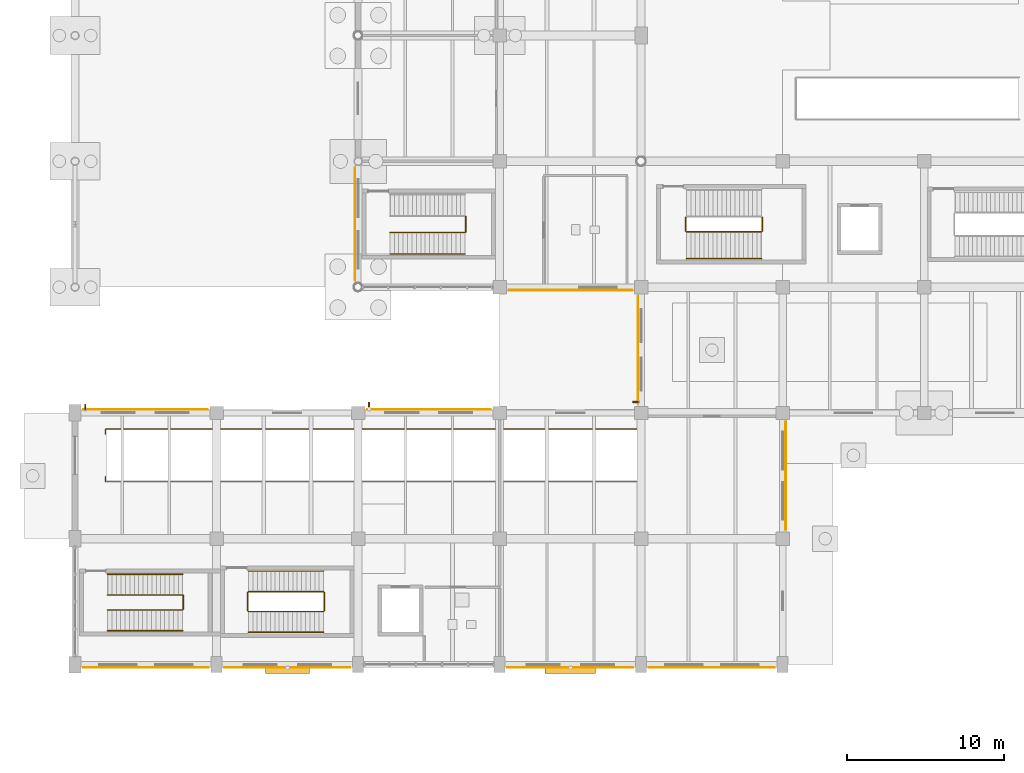
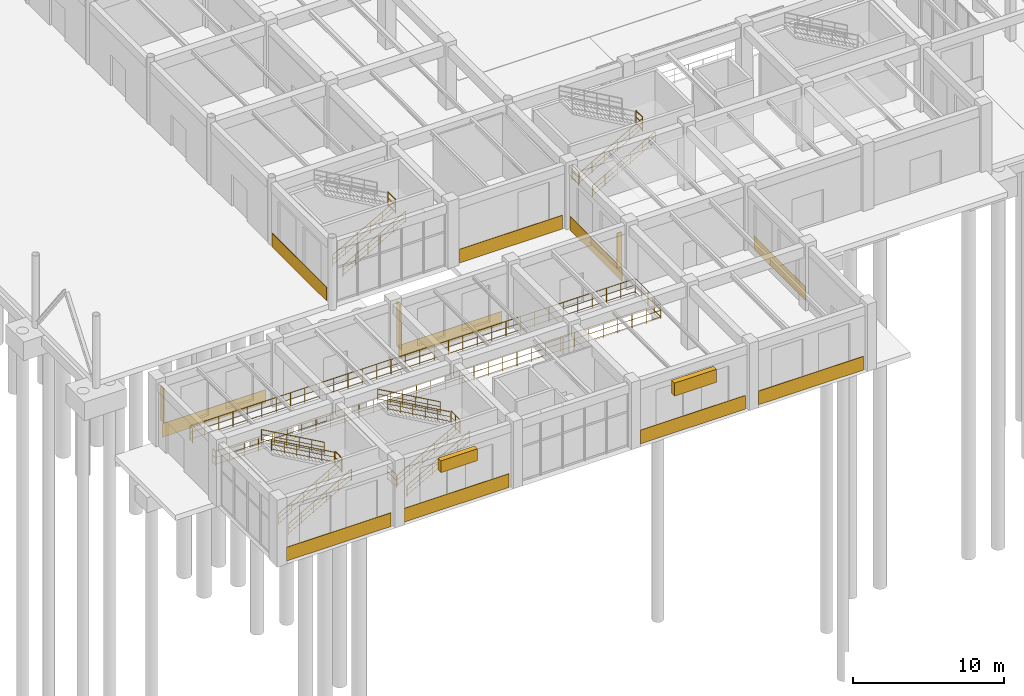
# One storey, part 110 of 121: 19 railings, 10 coverings, 5 shading devices.
"""IFC4 building model written with IfcOpenShell, lengths in metres."""

from ifc_helpers import new_model, si_unit, derived_unit, direction, frame, origin, origin_2d, place, context, subcontext, project, spatial, rectangle, circle, extrude, material, layer, layer_set, type_object, element, save


model = new_model("IFC4")

# Units and contexts
model_context = context("Model", 3, precision=1e-05, world=origin(), true_north=direction((0.0, 1.0)))
body_context = subcontext(model_context, "Body", "Model", "MODEL_VIEW")
ifc_project = project(units=[si_unit("LENGTHUNIT", "METRE"), si_unit("AREAUNIT", "SQUARE_METRE"), si_unit("VOLUMEUNIT", "CUBIC_METRE"), si_unit("PLANEANGLEUNIT", "RADIAN"), si_unit("MASSUNIT", "GRAM", prefix="KILO"), derived_unit("THERMALTRANSMITTANCEUNIT", [(si_unit("MASSUNIT", "GRAM", prefix="KILO"), 1), (si_unit("TIMEUNIT", "SECOND"), -3), (si_unit("THERMODYNAMICTEMPERATUREUNIT", "KELVIN"), -1)])], contexts=[model_context])

# Site, building, storey
site_placement = place(None, origin())
site = spatial("IfcSite", under=ifc_project, at=site_placement, CompositionType="ELEMENT")
building_placement = place(site_placement, origin())
building = spatial("IfcBuilding", under=site, at=building_placement, Name="Zhenchuan Archway Interchange", CompositionType="ELEMENT")
storey_placement = place(building_placement, origin())
storey = spatial("IfcBuildingStorey", under=building, at=storey_placement, Name="L00", CompositionType="ELEMENT", Elevation=0.0)

# Coverings
ifc_material_1 = material(Name="Granite Stone Cladding", Category="masonry")
ifc_layer_1 = layer(ifc_material_1, 0.0400390625)
ifc_layer_set_1 = layer_set([ifc_layer_1], Name="Granite Stone Cladding")
covering_type = type_object("IfcCoveringType", Name="COV_CLAD_GRANITE", PredefinedType="CLADDING", material=ifc_layer_set_1)
covering_1_placement = place(storey_placement, frame((35.802001953125, 20.0, 0.0), z_axis=(0.0, 0.0, 1.0), x_axis=(0.0, 1.0, 0.0)))
element("IfcCovering", 1, at=covering_1_placement, inside=storey, type_object=covering_type, Name="Pearl-grey granite plinth band 001", PredefinedType="CLADDING", context=body_context, shape_type="SweptSolid", body=[
    extrude(rectangle(XDim=6.85400390625, YDim=0.0400390625, at=origin_2d()), origin(), (0.0, 0.0, 1.0), 1.10009765625),
])
covering_2_placement = place(storey_placement, frame((31.5, 23.802001953125, 0.0), z_axis=(0.0, 0.0, 1.0), x_axis=(-1.0, 0.0, 0.0)))
element("IfcCovering", 2, at=covering_2_placement, inside=storey, type_object=covering_type, Name="Pearl-grey granite plinth band 002", PredefinedType="CLADDING", context=body_context, shape_type="SweptSolid", body=[
    extrude(rectangle(XDim=7.85400390625, YDim=0.0400390625, at=origin_2d()), origin(), (0.0, 0.0, 1.0), 1.10009765625),
])
covering_3_placement = place(storey_placement, frame((17.802001953125, 28.0126953125, 0.0), z_axis=(0.0, 0.0, 1.0), x_axis=(0.0, 1.0, 0.0)))
element("IfcCovering", 3, at=covering_3_placement, inside=storey, type_object=covering_type, Name="Pearl-grey granite plinth band 004", PredefinedType="CLADDING", context=body_context, shape_type="SweptSolid", body=[
    extrude(rectangle(XDim=7.172607421875, YDim=0.0400390625, at=origin_2d()), origin(), (0.0, 0.0, 1.0), 1.10009765625),
])
covering_4_placement = place(storey_placement, frame((45.197998046875, 12.0, 0.0), z_axis=(0.0, 0.0, 1.0), x_axis=(0.0, -1.0, 0.0)))
element("IfcCovering", 4, at=covering_4_placement, inside=storey, type_object=covering_type, Name="Pearl-grey granite plinth band 044", PredefinedType="CLADDING", context=body_context, shape_type="SweptSolid", body=[
    extrude(rectangle(XDim=6.85400390625, YDim=0.0400390625, at=origin_2d()), origin(), (0.0, 0.0, 1.0), 1.10009765625),
])
for number, where, z_axis, x_axis, name in (
    (5, (40.5, -0.197998046875, 0.0), (0.0, 0.0, 1.0), (-1.0, 0.0, 0.0), "Pearl-grey granite plinth band 046"),
    (6, (31.5, -0.197998046875, 0.0), (0.0, 0.0, 1.0), (-1.0, 0.0, 0.0), "Pearl-grey granite plinth band 047"),
    (7, (13.5, -0.197998046875, 0.0), (0.0, 0.0, 1.0), (-1.0, 0.0, 0.0), "Pearl-grey granite plinth band 049"),
):
    element("IfcCovering", number, at=place(storey_placement, frame(where, z_axis=z_axis, x_axis=x_axis)), inside=storey, type_object=covering_type, Name=name, PredefinedType="CLADDING", context=body_context, shape_type="SweptSolid", body=[
        extrude(rectangle(XDim=8.00390625, YDim=0.0400390625, at=origin_2d()), origin(), (0.0, 0.0, 1.0), 1.10009765625),
    ])
covering_5_placement = place(storey_placement, frame((4.512451171875, -0.197998046875, 0.0), z_axis=(0.0, 0.0, 1.0), x_axis=(-1.0, 0.0, 0.0)))
element("IfcCovering", 8, at=covering_5_placement, inside=storey, type_object=covering_type, Name="Pearl-grey granite plinth band 050", PredefinedType="CLADDING", context=body_context, shape_type="SweptSolid", body=[
    extrude(rectangle(XDim=7.97900390625, YDim=0.0400390625, at=origin_2d()), origin(), (0.0, 0.0, 1.0), 1.10009765625),
])
covering_6_placement = place(storey_placement, frame((4.47509765625, 16.22802734375, 0.0), z_axis=(0.0, 0.0, 1.0), x_axis=(1.0, 0.0, 0.0)))
element("IfcCovering", 9, at=covering_6_placement, inside=storey, type_object=covering_type, Name="Pearl-grey granite plinth band 053", PredefinedType="CLADDING", context=body_context, shape_type="SweptSolid", body=[
    extrude(rectangle(XDim=7.904052734375, YDim=0.0400390625, at=origin_2d()), origin(), (0.0, 0.0, 1.0), 1.10009765625),
])
covering_7_placement = place(storey_placement, frame((22.5, 16.22802734375, 0.0), z_axis=(0.0, 0.0, 1.0), x_axis=(1.0, 0.0, 0.0)))
element("IfcCovering", 10, at=covering_7_placement, inside=storey, type_object=covering_type, Name="Pearl-grey granite plinth band 055", PredefinedType="CLADDING", context=body_context, shape_type="SweptSolid", body=[
    extrude(rectangle(XDim=7.85400390625, YDim=0.0400390625, at=origin_2d()), origin(), (0.0, 0.0, 1.0), 1.10009765625),
])

# Railings
ifc_material_2 = material(Name="Painted Galvanised Steel", Category="steel")
railing_type_1 = type_object("IfcRailingType", Name="RL_GUARD_1150", PredefinedType="GUARDRAIL", material=ifc_material_2)
for number, where, name in (
    (11, (43.695068359375, 27.56494140625, 2.699951171875), "Stair ST-M1 half-landing slot guard (L00)"),
    (12, (38.8349609375, 27.56494140625, 0.0), "Stair ST-M1 floor well guard (L00)"),
):
    element("IfcRailing", number, at=place(storey_placement, frame(where)), inside=storey, type_object=railing_type_1, Name=name, PredefinedType="GUARDRAIL", context=body_context, shape_type="SweptSolid", body=[
        extrude(circle(Radius=0.02392578125, at=origin_2d()), frame((0.0, 0.0, 1.1259765625), z_axis=(0.0, 1.0, 0.0), x_axis=(-1.0, 0.0, 0.0)), (0.0, 0.0, 1.0), 0.8701171875),
        extrude(circle(Radius=0.01611328125, at=origin_2d()), frame((0.0, 0.0, 0.63232421875), z_axis=(0.0, 1.0, 0.0), x_axis=(-1.0, 0.0, 0.0)), (0.0, 0.0, 1.0), 0.8701171875),
        extrude(circle(Radius=0.01611328125, at=origin_2d()), frame((0.0, 0.0, 0.1201171875), z_axis=(0.0, 1.0, 0.0), x_axis=(-1.0, 0.0, 0.0)), (0.0, 0.0, 1.0), 0.8701171875),
        extrude(circle(Radius=0.02099609375, at=origin_2d()), origin(), (0.0, 0.0, 1.0), 1.1259765625),
        extrude(circle(Radius=0.02099609375, at=origin_2d()), frame((0.0, 0.8701171875, 0.0)), (0.0, 0.0, 1.0), 1.1259765625),
    ])
railing_1_placement = place(storey_placement, frame((24.844970703125, 27.514892578125, 2.699951171875)))
element("IfcRailing", 13, at=railing_1_placement, inside=storey, type_object=railing_type_1, Name="Stair ST-B1 half-landing slot guard (L00)", PredefinedType="GUARDRAIL", context=body_context, shape_type="SweptSolid", body=[
    extrude(circle(Radius=0.02392578125, at=origin_2d()), frame((0.0, 0.0, 1.1259765625), z_axis=(0.0, 1.0, 0.0), x_axis=(-1.0, 0.0, 0.0)), (0.0, 0.0, 1.0), 0.97021484375),
    extrude(circle(Radius=0.01611328125, at=origin_2d()), frame((0.0, 0.0, 0.63232421875), z_axis=(0.0, 1.0, 0.0), x_axis=(-1.0, 0.0, 0.0)), (0.0, 0.0, 1.0), 0.97021484375),
    extrude(circle(Radius=0.01611328125, at=origin_2d()), frame((0.0, 0.0, 0.1201171875), z_axis=(0.0, 1.0, 0.0), x_axis=(-1.0, 0.0, 0.0)), (0.0, 0.0, 1.0), 0.97021484375),
    extrude(circle(Radius=0.02099609375, at=origin_2d()), origin(), (0.0, 0.0, 1.0), 1.1259765625),
    extrude(circle(Radius=0.02099609375, at=origin_2d()), frame((0.0, 0.97021484375, 0.0)), (0.0, 0.0, 1.0), 1.1259765625),
])
for number, where, name in (
    (14, (15.844970703125, 3.4150390625, 2.699951171875), "Stair ST-C1 half-landing slot guard (L00)"),
    (15, (10.985107421875, 3.4150390625, 0.0), "Stair ST-C1 floor well guard (L00)"),
):
    element("IfcRailing", number, at=place(storey_placement, frame(where)), inside=storey, type_object=railing_type_1, Name=name, PredefinedType="GUARDRAIL", context=body_context, shape_type="SweptSolid", body=[
        extrude(circle(Radius=0.02392578125, at=origin_2d()), frame((0.0, 0.0, 1.1259765625), z_axis=(0.0, 1.0, 0.0), x_axis=(-1.0, 0.0, 0.0)), (0.0, 0.0, 1.0), 1.169921875),
        extrude(circle(Radius=0.01611328125, at=origin_2d()), frame((0.0, 0.0, 0.63232421875), z_axis=(0.0, 1.0, 0.0), x_axis=(-1.0, 0.0, 0.0)), (0.0, 0.0, 1.0), 1.169921875),
        extrude(circle(Radius=0.01611328125, at=origin_2d()), frame((0.0, 0.0, 0.1201171875), z_axis=(0.0, 1.0, 0.0), x_axis=(-1.0, 0.0, 0.0)), (0.0, 0.0, 1.0), 1.169921875),
        extrude(circle(Radius=0.02099609375, at=origin_2d()), origin(), (0.0, 0.0, 1.0), 1.1259765625),
        extrude(circle(Radius=0.02099609375, at=origin_2d()), frame((0.0, 0.5849609375, 0.0)), (0.0, 0.0, 1.0), 1.1259765625),
        extrude(circle(Radius=0.02099609375, at=origin_2d()), frame((0.0, 1.169921875, 0.0)), (0.0, 0.0, 1.0), 1.1259765625),
    ])
railing_2_placement = place(storey_placement, frame((6.885009765625, 3.514892578125, 2.699951171875)))
element("IfcRailing", 16, at=railing_2_placement, inside=storey, type_object=railing_type_1, Name="Stair ST-C2 half-landing slot guard (L00)", PredefinedType="GUARDRAIL", context=body_context, shape_type="SweptSolid", body=[
    extrude(circle(Radius=0.02392578125, at=origin_2d()), frame((0.0, 0.0, 1.1259765625), z_axis=(0.0, 1.0, 0.0), x_axis=(-1.0, 0.0, 0.0)), (0.0, 0.0, 1.0), 0.8701171875),
    extrude(circle(Radius=0.01611328125, at=origin_2d()), frame((0.0, 0.0, 0.63232421875), z_axis=(0.0, 1.0, 0.0), x_axis=(-1.0, 0.0, 0.0)), (0.0, 0.0, 1.0), 0.8701171875),
    extrude(circle(Radius=0.01611328125, at=origin_2d()), frame((0.0, 0.0, 0.1201171875), z_axis=(0.0, 1.0, 0.0), x_axis=(-1.0, 0.0, 0.0)), (0.0, 0.0, 1.0), 0.8701171875),
    extrude(circle(Radius=0.02099609375, at=origin_2d()), origin(), (0.0, 0.0, 1.0), 1.1259765625),
    extrude(circle(Radius=0.02099609375, at=origin_2d()), frame((0.0, 0.8701171875, 0.0)), (0.0, 0.0, 1.0), 1.1259765625),
])
ifc_layer_2 = layer(ifc_material_2, 0.070068359375)
ifc_layer_set_2 = layer_set([ifc_layer_2], Name="Painted Galvanised Steel")
railing_type_2 = type_object("IfcRailingType", Name="RL_GUARD_1200", PredefinedType="GUARDRAIL", material=ifc_layer_set_2)
railing_3_placement = place(storey_placement, frame((1.93994140625, 11.9599609375, 0.0)))
element("IfcRailing", 17, at=railing_3_placement, inside=storey, type_object=railing_type_2, Name="Cycle ramp L00 floor opening guard", PredefinedType="GUARDRAIL", context=body_context, shape_type="SweptSolid", body=[
    extrude(circle(Radius=0.02392578125, at=origin_2d()), frame((0.0, 0.0, 1.17578125), z_axis=(0.0, -1.0, 0.0), x_axis=(1.0, 0.0, 0.0)), (0.0, 0.0, 1.0), 0.33984375),
    extrude(circle(Radius=0.01611328125, at=origin_2d()), frame((0.0, 0.0, 0.659912109375), z_axis=(0.0, -1.0, 0.0), x_axis=(1.0, 0.0, 0.0)), (0.0, 0.0, 1.0), 0.33984375),
    extrude(circle(Radius=0.01611328125, at=origin_2d()), frame((0.0, 0.0, 0.1201171875), z_axis=(0.0, -1.0, 0.0), x_axis=(1.0, 0.0, 0.0)), (0.0, 0.0, 1.0), 0.33984375),
    extrude(circle(Radius=0.02392578125, at=origin_2d()), frame((0.0, -0.33984375, 1.17578125), z_axis=(1.0, 0.0, 0.0), x_axis=(0.0, 1.0, 0.0)), (0.0, 0.0, 1.0), 33.93994140625),
    extrude(circle(Radius=0.01611328125, at=origin_2d()), frame((0.0, -0.33984375, 0.659912109375), z_axis=(1.0, 0.0, 0.0), x_axis=(0.0, 1.0, 0.0)), (0.0, 0.0, 1.0), 33.93994140625),
    extrude(circle(Radius=0.01611328125, at=origin_2d()), frame((0.0, -0.33984375, 0.1201171875), z_axis=(1.0, 0.0, 0.0), x_axis=(0.0, 1.0, 0.0)), (0.0, 0.0, 1.0), 33.93994140625),
    extrude(circle(Radius=0.02392578125, at=origin_2d()), frame((33.93994140625, -0.33984375, 1.17578125), z_axis=(0.0, 1.0, 0.0), x_axis=(-1.0, 0.0, 0.0)), (0.0, 0.0, 1.0), 3.35986328125),
    extrude(circle(Radius=0.01611328125, at=origin_2d()), frame((33.93994140625, -0.33984375, 0.659912109375), z_axis=(0.0, 1.0, 0.0), x_axis=(-1.0, 0.0, 0.0)), (0.0, 0.0, 1.0), 3.35986328125),
    extrude(circle(Radius=0.01611328125, at=origin_2d()), frame((33.93994140625, -0.33984375, 0.1201171875), z_axis=(0.0, 1.0, 0.0), x_axis=(-1.0, 0.0, 0.0)), (0.0, 0.0, 1.0), 3.35986328125),
    extrude(circle(Radius=0.02392578125, at=origin_2d()), frame((33.93994140625, 3.02001953125, 1.17578125), z_axis=(-1.0, 0.0, 0.0), x_axis=(0.0, -1.0, 0.0)), (0.0, 0.0, 1.0), 33.93994140625),
    extrude(circle(Radius=0.01611328125, at=origin_2d()), frame((33.93994140625, 3.02001953125, 0.659912109375), z_axis=(-1.0, 0.0, 0.0), x_axis=(0.0, -1.0, 0.0)), (0.0, 0.0, 1.0), 33.93994140625),
    extrude(circle(Radius=0.01611328125, at=origin_2d()), frame((33.93994140625, 3.02001953125, 0.1201171875), z_axis=(-1.0, 0.0, 0.0), x_axis=(0.0, -1.0, 0.0)), (0.0, 0.0, 1.0), 33.93994140625),
    extrude(circle(Radius=0.02392578125, at=origin_2d()), frame((0.0, 3.02001953125, 1.17578125), z_axis=(0.0, -1.0, 0.0), x_axis=(1.0, 0.0, 0.0)), (0.0, 0.0, 1.0), 0.340087890625),
    extrude(circle(Radius=0.01611328125, at=origin_2d()), frame((0.0, 3.02001953125, 0.659912109375), z_axis=(0.0, -1.0, 0.0), x_axis=(1.0, 0.0, 0.0)), (0.0, 0.0, 1.0), 0.340087890625),
    extrude(circle(Radius=0.01611328125, at=origin_2d()), frame((0.0, 3.02001953125, 0.1201171875), z_axis=(0.0, -1.0, 0.0), x_axis=(1.0, 0.0, 0.0)), (0.0, 0.0, 1.0), 0.340087890625),
    extrude(circle(Radius=0.02099609375, at=origin_2d()), origin(), (0.0, 0.0, 1.0), 1.17578125),
    extrude(circle(Radius=0.02099609375, at=origin_2d()), frame((0.0, -0.33984375, 0.0)), (0.0, 0.0, 1.0), 1.17578125),
    extrude(circle(Radius=0.02099609375, at=origin_2d()), frame((1.0947265625, -0.33984375, 0.0)), (0.0, 0.0, 1.0), 1.17578125),
    extrude(circle(Radius=0.02099609375, at=origin_2d()), frame((2.189697265625, -0.33984375, 0.0)), (0.0, 0.0, 1.0), 1.17578125),
    extrude(circle(Radius=0.02099609375, at=origin_2d()), frame((3.284423828125, -0.33984375, 0.0)), (0.0, 0.0, 1.0), 1.17578125),
    extrude(circle(Radius=0.02099609375, at=origin_2d()), frame((4.37939453125, -0.33984375, 0.0)), (0.0, 0.0, 1.0), 1.17578125),
    extrude(circle(Radius=0.02099609375, at=origin_2d()), frame((5.47412109375, -0.33984375, 0.0)), (0.0, 0.0, 1.0), 1.17578125),
    extrude(circle(Radius=0.02099609375, at=origin_2d()), frame((6.569091796875, -0.33984375, 0.0)), (0.0, 0.0, 1.0), 1.17578125),
    extrude(circle(Radius=0.02099609375, at=origin_2d()), frame((7.663818359375, -0.33984375, 0.0)), (0.0, 0.0, 1.0), 1.17578125),
    extrude(circle(Radius=0.02099609375, at=origin_2d()), frame((8.7587890625, -0.33984375, 0.0)), (0.0, 0.0, 1.0), 1.17578125),
    extrude(circle(Radius=0.02099609375, at=origin_2d()), frame((9.853515625, -0.33984375, 0.0)), (0.0, 0.0, 1.0), 1.17578125),
    extrude(circle(Radius=0.02099609375, at=origin_2d()), frame((10.948486328125, -0.33984375, 0.0)), (0.0, 0.0, 1.0), 1.17578125),
    extrude(circle(Radius=0.02099609375, at=origin_2d()), frame((12.043212890625, -0.33984375, 0.0)), (0.0, 0.0, 1.0), 1.17578125),
    extrude(circle(Radius=0.02099609375, at=origin_2d()), frame((13.137939453125, -0.33984375, 0.0)), (0.0, 0.0, 1.0), 1.17578125),
    extrude(circle(Radius=0.02099609375, at=origin_2d()), frame((14.23291015625, -0.33984375, 0.0)), (0.0, 0.0, 1.0), 1.17578125),
    extrude(circle(Radius=0.02099609375, at=origin_2d()), frame((15.32763671875, -0.33984375, 0.0)), (0.0, 0.0, 1.0), 1.17578125),
    extrude(circle(Radius=0.02099609375, at=origin_2d()), frame((16.422607421875, -0.33984375, 0.0)), (0.0, 0.0, 1.0), 1.17578125),
    extrude(circle(Radius=0.02099609375, at=origin_2d()), frame((17.517333984375, -0.33984375, 0.0)), (0.0, 0.0, 1.0), 1.17578125),
    extrude(circle(Radius=0.02099609375, at=origin_2d()), frame((18.6123046875, -0.33984375, 0.0)), (0.0, 0.0, 1.0), 1.17578125),
    extrude(circle(Radius=0.02099609375, at=origin_2d()), frame((19.70703125, -0.33984375, 0.0)), (0.0, 0.0, 1.0), 1.17578125),
    extrude(circle(Radius=0.02099609375, at=origin_2d()), frame((20.802001953125, -0.33984375, 0.0)), (0.0, 0.0, 1.0), 1.17578125),
    extrude(circle(Radius=0.02099609375, at=origin_2d()), frame((21.896728515625, -0.33984375, 0.0)), (0.0, 0.0, 1.0), 1.17578125),
    extrude(circle(Radius=0.02099609375, at=origin_2d()), frame((22.991455078125, -0.33984375, 0.0)), (0.0, 0.0, 1.0), 1.17578125),
    extrude(circle(Radius=0.02099609375, at=origin_2d()), frame((24.08642578125, -0.33984375, 0.0)), (0.0, 0.0, 1.0), 1.17578125),
    extrude(circle(Radius=0.02099609375, at=origin_2d()), frame((25.18115234375, -0.33984375, 0.0)), (0.0, 0.0, 1.0), 1.17578125),
    extrude(circle(Radius=0.02099609375, at=origin_2d()), frame((26.276123046875, -0.33984375, 0.0)), (0.0, 0.0, 1.0), 1.17578125),
    extrude(circle(Radius=0.02099609375, at=origin_2d()), frame((27.370849609375, -0.33984375, 0.0)), (0.0, 0.0, 1.0), 1.17578125),
    extrude(circle(Radius=0.02099609375, at=origin_2d()), frame((28.4658203125, -0.33984375, 0.0)), (0.0, 0.0, 1.0), 1.17578125),
    extrude(circle(Radius=0.02099609375, at=origin_2d()), frame((29.560546875, -0.33984375, 0.0)), (0.0, 0.0, 1.0), 1.17578125),
    extrude(circle(Radius=0.02099609375, at=origin_2d()), frame((30.655517578125, -0.33984375, 0.0)), (0.0, 0.0, 1.0), 1.17578125),
    extrude(circle(Radius=0.02099609375, at=origin_2d()), frame((31.750244140625, -0.33984375, 0.0)), (0.0, 0.0, 1.0), 1.17578125),
    extrude(circle(Radius=0.02099609375, at=origin_2d()), frame((32.84521484375, -0.33984375, 0.0)), (0.0, 0.0, 1.0), 1.17578125),
    extrude(circle(Radius=0.02099609375, at=origin_2d()), frame((33.93994140625, -0.33984375, 0.0)), (0.0, 0.0, 1.0), 1.17578125),
    extrude(circle(Radius=0.02099609375, at=origin_2d()), frame((33.93994140625, 0.5, 0.0)), (0.0, 0.0, 1.0), 1.17578125),
    extrude(circle(Radius=0.02099609375, at=origin_2d()), frame((33.93994140625, 1.340087890625, 0.0)), (0.0, 0.0, 1.0), 1.17578125),
    extrude(circle(Radius=0.02099609375, at=origin_2d()), frame((33.93994140625, 2.18017578125, 0.0)), (0.0, 0.0, 1.0), 1.17578125),
    extrude(circle(Radius=0.02099609375, at=origin_2d()), frame((33.93994140625, 3.02001953125, 0.0)), (0.0, 0.0, 1.0), 1.17578125),
    extrude(circle(Radius=0.02099609375, at=origin_2d()), frame((32.84521484375, 3.02001953125, 0.0)), (0.0, 0.0, 1.0), 1.17578125),
    extrude(circle(Radius=0.02099609375, at=origin_2d()), frame((31.750244140625, 3.02001953125, 0.0)), (0.0, 0.0, 1.0), 1.17578125),
    extrude(circle(Radius=0.02099609375, at=origin_2d()), frame((30.655517578125, 3.02001953125, 0.0)), (0.0, 0.0, 1.0), 1.17578125),
    extrude(circle(Radius=0.02099609375, at=origin_2d()), frame((29.560546875, 3.02001953125, 0.0)), (0.0, 0.0, 1.0), 1.17578125),
    extrude(circle(Radius=0.02099609375, at=origin_2d()), frame((28.4658203125, 3.02001953125, 0.0)), (0.0, 0.0, 1.0), 1.17578125),
    extrude(circle(Radius=0.02099609375, at=origin_2d()), frame((27.370849609375, 3.02001953125, 0.0)), (0.0, 0.0, 1.0), 1.17578125),
    extrude(circle(Radius=0.02099609375, at=origin_2d()), frame((26.276123046875, 3.02001953125, 0.0)), (0.0, 0.0, 1.0), 1.17578125),
    extrude(circle(Radius=0.02099609375, at=origin_2d()), frame((25.18115234375, 3.02001953125, 0.0)), (0.0, 0.0, 1.0), 1.17578125),
    extrude(circle(Radius=0.02099609375, at=origin_2d()), frame((24.08642578125, 3.02001953125, 0.0)), (0.0, 0.0, 1.0), 1.17578125),
    extrude(circle(Radius=0.02099609375, at=origin_2d()), frame((22.991455078125, 3.02001953125, 0.0)), (0.0, 0.0, 1.0), 1.17578125),
    extrude(circle(Radius=0.02099609375, at=origin_2d()), frame((21.896728515625, 3.02001953125, 0.0)), (0.0, 0.0, 1.0), 1.17578125),
    extrude(circle(Radius=0.02099609375, at=origin_2d()), frame((20.802001953125, 3.02001953125, 0.0)), (0.0, 0.0, 1.0), 1.17578125),
    extrude(circle(Radius=0.02099609375, at=origin_2d()), frame((19.70703125, 3.02001953125, 0.0)), (0.0, 0.0, 1.0), 1.17578125),
    extrude(circle(Radius=0.02099609375, at=origin_2d()), frame((18.6123046875, 3.02001953125, 0.0)), (0.0, 0.0, 1.0), 1.17578125),
    extrude(circle(Radius=0.02099609375, at=origin_2d()), frame((17.517333984375, 3.02001953125, 0.0)), (0.0, 0.0, 1.0), 1.17578125),
    extrude(circle(Radius=0.02099609375, at=origin_2d()), frame((16.422607421875, 3.02001953125, 0.0)), (0.0, 0.0, 1.0), 1.17578125),
    extrude(circle(Radius=0.02099609375, at=origin_2d()), frame((15.32763671875, 3.02001953125, 0.0)), (0.0, 0.0, 1.0), 1.17578125),
    extrude(circle(Radius=0.02099609375, at=origin_2d()), frame((14.23291015625, 3.02001953125, 0.0)), (0.0, 0.0, 1.0), 1.17578125),
    extrude(circle(Radius=0.02099609375, at=origin_2d()), frame((13.137939453125, 3.02001953125, 0.0)), (0.0, 0.0, 1.0), 1.17578125),
    extrude(circle(Radius=0.02099609375, at=origin_2d()), frame((12.043212890625, 3.02001953125, 0.0)), (0.0, 0.0, 1.0), 1.17578125),
    extrude(circle(Radius=0.02099609375, at=origin_2d()), frame((10.948486328125, 3.02001953125, 0.0)), (0.0, 0.0, 1.0), 1.17578125),
    extrude(circle(Radius=0.02099609375, at=origin_2d()), frame((9.853515625, 3.02001953125, 0.0)), (0.0, 0.0, 1.0), 1.17578125),
    extrude(circle(Radius=0.02099609375, at=origin_2d()), frame((8.7587890625, 3.02001953125, 0.0)), (0.0, 0.0, 1.0), 1.17578125),
    extrude(circle(Radius=0.02099609375, at=origin_2d()), frame((7.663818359375, 3.02001953125, 0.0)), (0.0, 0.0, 1.0), 1.17578125),
    extrude(circle(Radius=0.02099609375, at=origin_2d()), frame((6.569091796875, 3.02001953125, 0.0)), (0.0, 0.0, 1.0), 1.17578125),
    extrude(circle(Radius=0.02099609375, at=origin_2d()), frame((5.47412109375, 3.02001953125, 0.0)), (0.0, 0.0, 1.0), 1.17578125),
    extrude(circle(Radius=0.02099609375, at=origin_2d()), frame((4.37939453125, 3.02001953125, 0.0)), (0.0, 0.0, 1.0), 1.17578125),
    extrude(circle(Radius=0.02099609375, at=origin_2d()), frame((3.284423828125, 3.02001953125, 0.0)), (0.0, 0.0, 1.0), 1.17578125),
    extrude(circle(Radius=0.02099609375, at=origin_2d()), frame((2.189697265625, 3.02001953125, 0.0)), (0.0, 0.0, 1.0), 1.17578125),
    extrude(circle(Radius=0.02099609375, at=origin_2d()), frame((1.0947265625, 3.02001953125, 0.0)), (0.0, 0.0, 1.0), 1.17578125),
    extrude(circle(Radius=0.02099609375, at=origin_2d()), frame((0.0, 3.02001953125, 0.0)), (0.0, 0.0, 1.0), 1.17578125),
    extrude(circle(Radius=0.02099609375, at=origin_2d()), frame((0.0, 2.679931640625, 0.0)), (0.0, 0.0, 1.0), 1.17578125),
])
ifc_material_3 = material(Name="Stainless Steel 304", Category="steel")
railing_type_3 = type_object("IfcRailingType", Name="RL_HAND_920", PredefinedType="HANDRAIL", material=ifc_material_3)
for number, where, name in (
    (18, (38.875, 25.804931640625, 0.14990234375), "Stair ST-M1 handrail 1 (L00)"),
    (19, (38.875, 27.52490234375, 0.14990234375), "Stair ST-M1 handrail 2 (L00)"),
    (20, (20.02490234375, 26.10498046875, 0.14990234375), "Stair ST-B1 handrail 1 (L00)"),
    (21, (20.02490234375, 27.47509765625, 0.14990234375), "Stair ST-B1 handrail 2 (L00)"),
    (22, (11.02490234375, 2.054931640625, 0.14990234375), "Stair ST-C1 handrail 1 (L00)"),
    (23, (11.02490234375, 3.375, 0.14990234375), "Stair ST-C1 handrail 2 (L00)"),
):
    element("IfcRailing", number, at=place(storey_placement, frame(where)), inside=storey, type_object=railing_type_3, Name=name, PredefinedType="HANDRAIL", context=body_context, shape_type="SweptSolid", body=[
        extrude(circle(Radius=0.02392578125, at=origin_2d()), frame((0.0, 0.0, 0.89599609375), z_axis=(0.87068456393, 0.0, 0.491841834469), x_axis=(0.0, 1.0, 0.0)), (0.0, 0.0, 1.0), 5.489990234375),
        extrude(circle(Radius=0.01611328125, at=origin_2d()), frame((0.0, 0.0, 0.505859375), z_axis=(0.87068456393, 0.0, 0.491841834469), x_axis=(0.0, 1.0, 0.0)), (0.0, 0.0, 1.0), 5.489990234375),
        extrude(circle(Radius=0.01611328125, at=origin_2d()), frame((0.0, 0.0, 0.1201171875), z_axis=(0.87068456393, 0.0, 0.491841834469), x_axis=(0.0, 1.0, 0.0)), (0.0, 0.0, 1.0), 5.489990234375),
        extrude(circle(Radius=0.02099609375, at=origin_2d()), origin(), (0.0, 0.0, 1.0), 0.89599609375),
        extrude(circle(Radius=0.02099609375, at=origin_2d()), frame((0.9560546875, 0.0, 0.5400390625)), (0.0, 0.0, 1.0), 0.89599609375),
        extrude(circle(Radius=0.02099609375, at=origin_2d()), frame((1.912109375, 0.0, 1.080078125)), (0.0, 0.0, 1.0), 0.89599609375),
        extrude(circle(Radius=0.02099609375, at=origin_2d()), frame((2.867919921875, 0.0, 1.6201171875)), (0.0, 0.0, 1.0), 0.89599609375),
        extrude(circle(Radius=0.02099609375, at=origin_2d()), frame((3.823974609375, 0.0, 2.16015625)), (0.0, 0.0, 1.0), 0.89599609375),
        extrude(circle(Radius=0.02099609375, at=origin_2d()), frame((4.780029296875, 0.0, 2.7001953125)), (0.0, 0.0, 1.0), 0.89599609375),
    ])
for number, where, name in (
    (24, (15.804931640625, 4.625, 2.85009765625), "Stair ST-C1 handrail 3 (L00)"),
    (25, (15.804931640625, 5.945068359375, 2.85009765625), "Stair ST-C1 handrail 4 (L00)"),
):
    element("IfcRailing", number, at=place(storey_placement, frame(where)), inside=storey, type_object=railing_type_3, Name=name, PredefinedType="HANDRAIL", context=body_context, shape_type="SweptSolid", body=[
        extrude(circle(Radius=0.02392578125, at=origin_2d()), frame((0.0, 0.0, 0.89599609375), z_axis=(-0.870703607627, 0.0, 0.49180812078), x_axis=(0.0, -1.0, 0.0)), (0.0, 0.0, 1.0), 5.48974609375),
        extrude(circle(Radius=0.01611328125, at=origin_2d()), frame((0.0, 0.0, 0.505859375), z_axis=(-0.870703607627, 0.0, 0.49180812078), x_axis=(0.0, -1.0, 0.0)), (0.0, 0.0, 1.0), 5.48974609375),
        extrude(circle(Radius=0.01611328125, at=origin_2d()), frame((0.0, 0.0, 0.1201171875), z_axis=(-0.870703607627, 0.0, 0.49180812078), x_axis=(0.0, -1.0, 0.0)), (0.0, 0.0, 1.0), 5.48974609375),
        extrude(circle(Radius=0.02099609375, at=origin_2d()), origin(), (0.0, 0.0, 1.0), 0.89599609375),
        extrude(circle(Radius=0.02099609375, at=origin_2d()), frame((-0.9560546875, 0.0, 0.5400390625)), (0.0, 0.0, 1.0), 0.89599609375),
        extrude(circle(Radius=0.02099609375, at=origin_2d()), frame((-1.912109375, 0.0, 1.080078125)), (0.0, 0.0, 1.0), 0.89599609375),
        extrude(circle(Radius=0.02099609375, at=origin_2d()), frame((-2.867919921875, 0.0, 1.619873046875)), (0.0, 0.0, 1.0), 0.89599609375),
        extrude(circle(Radius=0.02099609375, at=origin_2d()), frame((-3.823974609375, 0.0, 2.159912109375)), (0.0, 0.0, 1.0), 0.89599609375),
        extrude(circle(Radius=0.02099609375, at=origin_2d()), frame((-4.780029296875, 0.0, 2.699951171875)), (0.0, 0.0, 1.0), 0.89599609375),
    ])
for number, where, name in (
    (26, (2.06494140625, 2.155029296875, 0.14990234375), "Stair ST-C2 handrail 1 (L00)"),
    (27, (2.06494140625, 3.47509765625, 0.14990234375), "Stair ST-C2 handrail 2 (L00)"),
):
    element("IfcRailing", number, at=place(storey_placement, frame(where)), inside=storey, type_object=railing_type_3, Name=name, PredefinedType="HANDRAIL", context=body_context, shape_type="SweptSolid", body=[
        extrude(circle(Radius=0.02392578125, at=origin_2d()), frame((0.0, 0.0, 0.89599609375), z_axis=(0.87068456393, 0.0, 0.491841834469), x_axis=(0.0, 1.0, 0.0)), (0.0, 0.0, 1.0), 5.489990234375),
        extrude(circle(Radius=0.01611328125, at=origin_2d()), frame((0.0, 0.0, 0.505859375), z_axis=(0.87068456393, 0.0, 0.491841834469), x_axis=(0.0, 1.0, 0.0)), (0.0, 0.0, 1.0), 5.489990234375),
        extrude(circle(Radius=0.01611328125, at=origin_2d()), frame((0.0, 0.0, 0.1201171875), z_axis=(0.87068456393, 0.0, 0.491841834469), x_axis=(0.0, 1.0, 0.0)), (0.0, 0.0, 1.0), 5.489990234375),
        extrude(circle(Radius=0.02099609375, at=origin_2d()), origin(), (0.0, 0.0, 1.0), 0.89599609375),
        extrude(circle(Radius=0.02099609375, at=origin_2d()), frame((0.9560546875, 0.0, 0.5400390625)), (0.0, 0.0, 1.0), 0.89599609375),
        extrude(circle(Radius=0.02099609375, at=origin_2d()), frame((1.912109375, 0.0, 1.080078125)), (0.0, 0.0, 1.0), 0.89599609375),
        extrude(circle(Radius=0.02099609375, at=origin_2d()), frame((2.867919921875, 0.0, 1.6201171875)), (0.0, 0.0, 1.0), 0.89599609375),
        extrude(circle(Radius=0.02099609375, at=origin_2d()), frame((3.823974609375, 0.0, 2.16015625)), (0.0, 0.0, 1.0), 0.89599609375),
        extrude(circle(Radius=0.02099609375, at=origin_2d()), frame((4.780029296875, 0.0, 2.7001953125)), (0.0, 0.0, 1.0), 0.89599609375),
    ])
for number, where, name in (
    (28, (6.844970703125, 4.425048828125, 2.85009765625), "Stair ST-C2 handrail 3 (L00)"),
    (29, (6.844970703125, 5.7451171875, 2.85009765625), "Stair ST-C2 handrail 4 (L00)"),
):
    element("IfcRailing", number, at=place(storey_placement, frame(where)), inside=storey, type_object=railing_type_3, Name=name, PredefinedType="HANDRAIL", context=body_context, shape_type="SweptSolid", body=[
        extrude(circle(Radius=0.02392578125, at=origin_2d()), frame((0.0, 0.0, 0.89599609375), z_axis=(-0.870703607627, 0.0, 0.49180812078), x_axis=(0.0, -1.0, 0.0)), (0.0, 0.0, 1.0), 5.48974609375),
        extrude(circle(Radius=0.01611328125, at=origin_2d()), frame((0.0, 0.0, 0.505859375), z_axis=(-0.870703607627, 0.0, 0.49180812078), x_axis=(0.0, -1.0, 0.0)), (0.0, 0.0, 1.0), 5.48974609375),
        extrude(circle(Radius=0.01611328125, at=origin_2d()), frame((0.0, 0.0, 0.1201171875), z_axis=(-0.870703607627, 0.0, 0.49180812078), x_axis=(0.0, -1.0, 0.0)), (0.0, 0.0, 1.0), 5.48974609375),
        extrude(circle(Radius=0.02099609375, at=origin_2d()), origin(), (0.0, 0.0, 1.0), 0.89599609375),
        extrude(circle(Radius=0.02099609375, at=origin_2d()), frame((-0.9560546875, 0.0, 0.5400390625)), (0.0, 0.0, 1.0), 0.89599609375),
        extrude(circle(Radius=0.02099609375, at=origin_2d()), frame((-1.912109375, 0.0, 1.080078125)), (0.0, 0.0, 1.0), 0.89599609375),
        extrude(circle(Radius=0.02099609375, at=origin_2d()), frame((-2.867919921875, 0.0, 1.619873046875)), (0.0, 0.0, 1.0), 0.89599609375),
        extrude(circle(Radius=0.02099609375, at=origin_2d()), frame((-3.823974609375, 0.0, 2.159912109375)), (0.0, 0.0, 1.0), 0.89599609375),
        extrude(circle(Radius=0.02099609375, at=origin_2d()), frame((-4.780029296875, 0.0, 2.699951171875)), (0.0, 0.0, 1.0), 0.89599609375),
    ])

# Shading devices
ifc_material_4 = material(Name="Terracotta Ceramic", Category="masonry")
shading_device_type_1 = type_object("IfcShadingDeviceType", Name="SHD_FIN_2", PredefinedType="USERDEFINED", material=ifc_material_4)
for number, where, z_axis, x_axis, name in (
    (30, (35.64599609375, 16.702880859375, 1.1298828125), (0.0, 0.0, 1.0), (0.0, 1.0, 0.0), "Terracotta vertical solar fin L00-001"),
    (31, (0.653076171875, 16.384033203125, 1.1298828125), (0.0, 0.0, 1.0), (1.0, 0.0, 0.0), "Terracotta vertical solar fin L00-010"),
):
    element("IfcShadingDevice", number, at=place(storey_placement, frame(where, z_axis=z_axis, x_axis=x_axis)), inside=storey, type_object=shading_device_type_1, Name=name, ObjectType="FINS", PredefinedType="USERDEFINED", context=body_context, shape_type="SweptSolid", body=[
        extrude(rectangle(XDim=0.080078125, YDim=0.360107421875, at=origin_2d()), origin(), (0.0, 0.0, 1.0), 2.800048828125),
    ])
shading_device_type_2 = type_object("IfcShadingDeviceType", Name="SHD_FIN_3", PredefinedType="USERDEFINED", material=ifc_material_4)
shading_device_1_placement = place(storey_placement, frame((18.702880859375, 16.43408203125, 0.72998046875), z_axis=(0.0, 0.0, 1.0), x_axis=(1.0, 0.0, 0.0)))
element("IfcShadingDevice", 32, at=shading_device_1_placement, inside=storey, type_object=shading_device_type_2, Name="Terracotta vertical solar fin L00-011", ObjectType="FINS", PredefinedType="USERDEFINED", context=body_context, shape_type="SweptSolid", body=[
    extrude(rectangle(XDim=0.10009765625, YDim=0.4599609375, at=origin_2d()), origin(), (0.0, 0.0, 1.0), 3.60009765625),
])
ifc_material_5 = material(Name="Anodised Aluminium", Category="aluminium")
shading_device_type_3 = type_object("IfcShadingDeviceType", Name="SHD_LOUVRE_1", PredefinedType="JALOUSIE", material=ifc_material_5)
shading_device_2_placement = place(storey_placement, frame((13.5, -0.364013671875, 3.27490234375), z_axis=(0.0, 0.0, 1.0), x_axis=(-1.0, 0.0, 0.0)))
element("IfcShadingDevice", 33, at=shading_device_2_placement, inside=storey, type_object=shading_device_type_3, Name="Monsoon storm-louvre jalousie L00-009", PredefinedType="JALOUSIE", context=body_context, shape_type="SweptSolid", body=[
    extrude(rectangle(XDim=2.800048828125, YDim=0.3798828125, at=origin_2d()), origin(), (0.0, 0.0, 1.0), 0.949951171875),
])
shading_device_type_4 = type_object("IfcShadingDeviceType", Name="SHD_LOUVRE_3", PredefinedType="JALOUSIE", material=ifc_material_5)
shading_device_3_placement = place(storey_placement, frame((31.5, -0.3740234375, 3.22509765625), z_axis=(0.0, 0.0, 1.0), x_axis=(-1.0, 0.0, 0.0)))
element("IfcShadingDevice", 34, at=shading_device_3_placement, inside=storey, type_object=shading_device_type_4, Name="Monsoon storm-louvre jalousie L00-008", PredefinedType="JALOUSIE", context=body_context, shape_type="SweptSolid", body=[
    extrude(rectangle(XDim=3.199951171875, YDim=0.39990234375, at=origin_2d()), origin(), (0.0, 0.0, 1.0), 1.050048828125),
])

save(model, "model.ifc")
